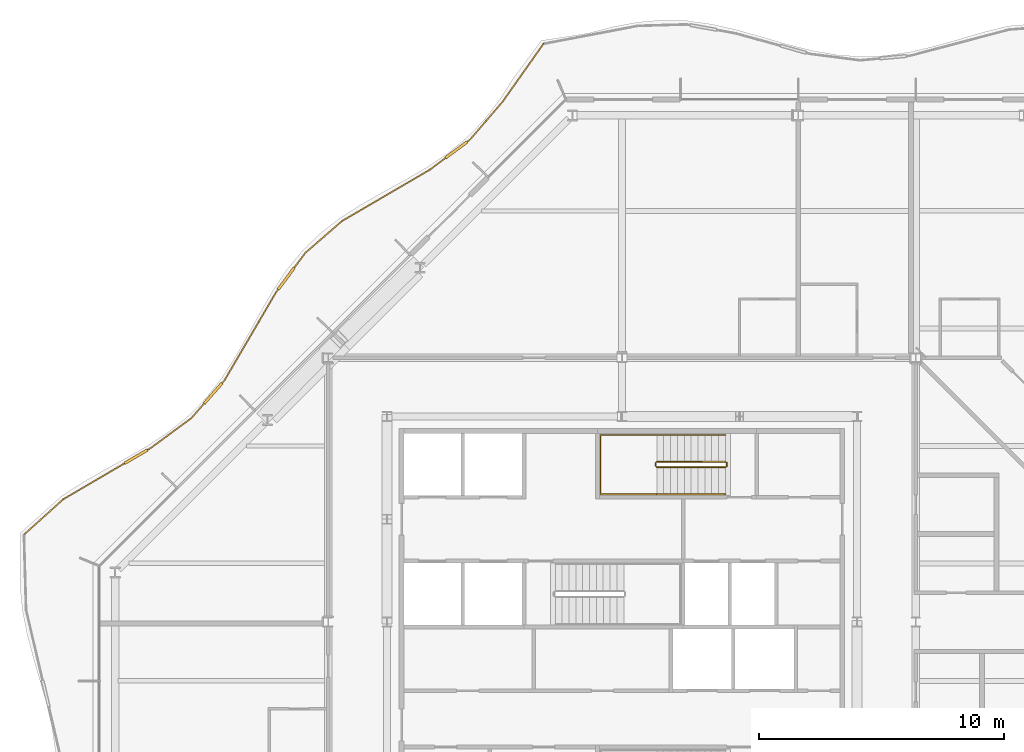
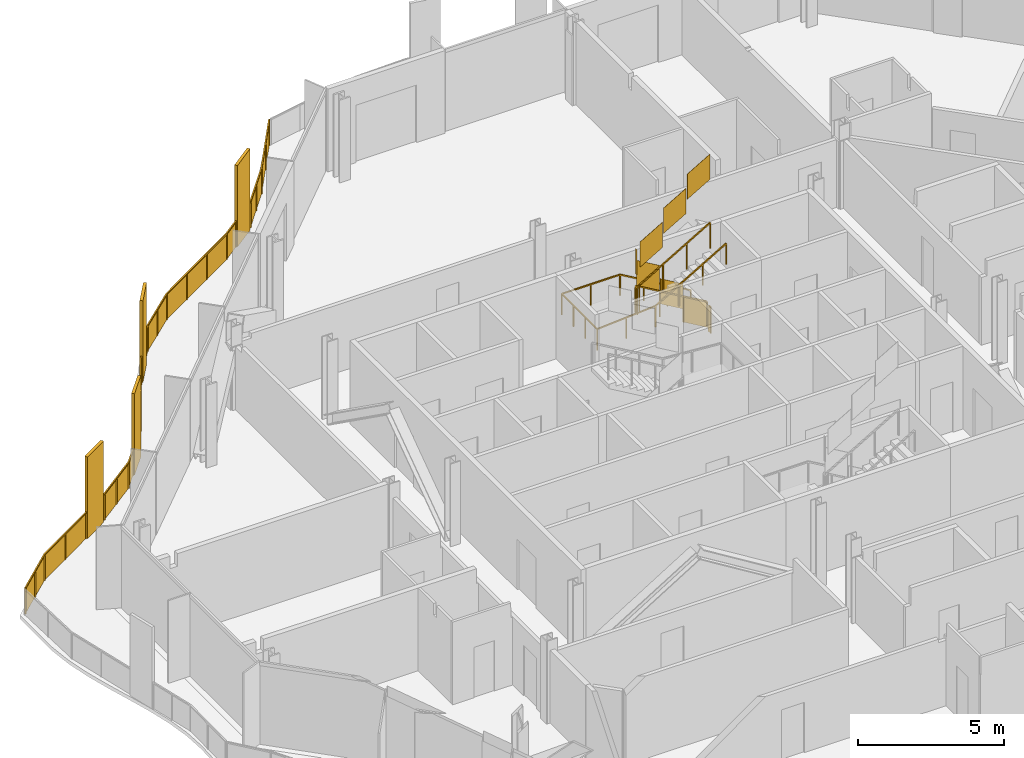
# One storey, part 16 of 17: 4 railings.
"""IFC4 building model written with IfcOpenShell, lengths in metres."""

from ifc_helpers import new_model, si_unit, direction, frame, origin, origin_2d, place, context, subcontext, project, spatial, polyline, rectangle, outline, extrude, material, type_object, element, save


model = new_model("IFC4")

# Units and contexts
model_context = context("Model", 3, precision=1e-05, world=origin(), true_north=direction((0.0, 1.0)))
body_context = subcontext(model_context, "Body", "Model", "MODEL_VIEW")
ifc_project = project(units=[si_unit("LENGTHUNIT", "METRE"), si_unit("AREAUNIT", "SQUARE_METRE"), si_unit("VOLUMEUNIT", "CUBIC_METRE"), si_unit("PLANEANGLEUNIT", "RADIAN"), si_unit("MASSUNIT", "GRAM", prefix="KILO")], contexts=[model_context])

# Site, building, storey
site_placement = place(None, origin())
site = spatial("IfcSite", under=ifc_project, at=site_placement, CompositionType="ELEMENT")
building_placement = place(site_placement, origin())
building = spatial("IfcBuilding", under=site, at=building_placement, Name="Cairn Pilgrim Tower", CompositionType="ELEMENT")
storey_placement = place(building_placement, frame((0.0, 0.0, 225.0)))
storey = spatial("IfcBuildingStorey", under=building, at=storey_placement, Name="L57", CompositionType="ELEMENT", Elevation=225.0)

# Railings
ifc_material_1 = material(Name="Bronze anodised aluminium rail, posts and fin screens with laminated glass infill", Category="aluminium")
railing_type_1 = type_object("IfcRailingType", Name="BALCONY GUARD WITH FIN SCREENS", PredefinedType="GUARDRAIL", material=ifc_material_1)
railing_1_placement = place(storey_placement, frame((3.992919921875, 26.024169921875, 0.0)))
element("IfcRailing", 1, at=railing_1_placement, inside=storey, type_object=railing_type_1, Name="Balcony guard BGF-6 with fin screens", PredefinedType="GUARDRAIL", context=body_context, shape_type="SweptSolid", body=[
    extrude(rectangle(XDim=0.050048828125, YDim=0.050048828125, at=origin_2d()), frame((0.0, 0.0, 1.0751953125), z_axis=(-0.57633889934, -0.817210788663, 0.0), x_axis=(0.817210788663, -0.57633889934, 0.0)), (0.0, 0.0, 1.0), 2.895751953125),
    extrude(rectangle(XDim=0.050048828125, YDim=0.050048828125, at=origin_2d()), frame((-1.6689453125, -2.366455078125, 1.0751953125), z_axis=(-0.651923719263, -0.758284553622, 0.0), x_axis=(0.758284553622, -0.651923719263, 0.0)), (0.0, 0.0, 1.0), 2.04052734375),
    extrude(rectangle(XDim=1.10009765625, YDim=0.110107421875, at=origin_2d()), frame((-3.5595703125, -4.33349609375, 0.0), z_axis=(0.0, 0.0, 1.0), x_axis=(-0.800455544587, -0.599392126359, 0.0)), (0.0, 0.0, 1.0), 3.39990234375),
    extrude(rectangle(XDim=0.050048828125, YDim=0.050048828125, at=origin_2d()), frame((-2.999267578125, -3.913818359375, 1.0751953125), z_axis=(-0.800455544587, -0.599392126359, 0.0), x_axis=(0.599392126359, -0.800455544587, 0.0)), (0.0, 0.0, 1.0), 0.14990234375),
    extrude(rectangle(XDim=0.050048828125, YDim=0.050048828125, at=origin_2d()), frame((-3.999755859375, -4.6630859375, 1.0751953125), z_axis=(-0.800455544587, -0.599392126359, 0.0), x_axis=(0.599392126359, -0.800455544587, 0.0)), (0.0, 0.0, 1.0), 0.806884765625),
    extrude(rectangle(XDim=0.050048828125, YDim=0.050048828125, at=origin_2d()), frame((-4.645751953125, -5.146728515625, 1.0751953125), z_axis=(-0.863369283691, -0.504572571569, 0.0), x_axis=(0.504572571569, -0.863369283691, 0.0)), (0.0, 0.0, 1.0), 4.1533203125),
    extrude(rectangle(XDim=0.050048828125, YDim=0.050048828125, at=origin_2d()), frame((-8.231689453125, -7.242431640625, 1.0751953125), z_axis=(-0.755084368508, -0.655627635502, 0.0), x_axis=(0.655627635502, -0.755084368508, 0.0)), (0.0, 0.0, 1.0), 1.98583984375),
    extrude(rectangle(XDim=1.10009765625, YDim=0.110107421875, at=origin_2d()), frame((-10.51123046875, -9.59521484375, 0.0), z_axis=(0.0, 0.0, 1.0), x_axis=(-0.596064380955, -0.802936643676, 0.0)), (0.0, 0.0, 1.0), 3.39990234375),
    extrude(rectangle(XDim=0.050048828125, YDim=0.050048828125, at=origin_2d()), frame((-9.731201171875, -8.54443359375, 1.0751953125), z_axis=(-0.596064380955, -0.802936643676, 0.0), x_axis=(0.802936643676, -0.596064380955, 0.0)), (0.0, 0.0, 1.0), 0.758544921875),
    extrude(rectangle(XDim=0.050048828125, YDim=0.050048828125, at=origin_2d()), frame((-10.839111328125, -10.036865234375, 1.0751953125), z_axis=(-0.596064380955, -0.802936643676, 0.0), x_axis=(0.802936643676, -0.596064380955, 0.0)), (0.0, 0.0, 1.0), 0.150146484375),
    extrude(rectangle(XDim=0.050048828125, YDim=0.050048828125, at=origin_2d()), frame((-10.928466796875, -10.1572265625, 1.0751953125), z_axis=(-0.50508441104, -0.863069949497, 0.0), x_axis=(0.863069949497, -0.50508441104, 0.0)), (0.0, 0.0, 1.0), 4.164306640625),
    extrude(rectangle(XDim=1.10009765625, YDim=0.110107421875, at=origin_2d()), frame((-13.4931640625, -14.277587890625, 0.0), z_axis=(0.0, 0.0, 1.0), x_axis=(-0.65929822296, -0.751881542001, 0.0)), (0.0, 0.0, 1.0), 3.39990234375),
    extrude(rectangle(XDim=0.050048828125, YDim=0.050048828125, at=origin_2d()), frame((-13.03173828125, -13.751220703125, 1.0751953125), z_axis=(-0.65929822296, -0.751881542001, 0.0), x_axis=(0.751881542001, -0.65929822296, 0.0)), (0.0, 0.0, 1.0), 0.14990234375),
    extrude(rectangle(XDim=0.050048828125, YDim=0.050048828125, at=origin_2d()), frame((-13.855712890625, -14.691162109375, 1.0751953125), z_axis=(-0.65929822296, -0.751881542001, 0.0), x_axis=(0.751881542001, -0.65929822296, 0.0)), (0.0, 0.0, 1.0), 0.79638671875),
    extrude(rectangle(XDim=0.050048828125, YDim=0.050048828125, at=origin_2d()), frame((-14.380859375, -15.289794921875, 1.0751953125), z_axis=(-0.805487840964, -0.592612299956, 0.0), x_axis=(0.592612299956, -0.805487840964, 0.0)), (0.0, 0.0, 1.0), 2.05859375),
    extrude(rectangle(XDim=1.10009765625, YDim=0.110107421875, at=origin_2d()), frame((-16.642822265625, -16.86376953125, 0.0), z_axis=(0.0, 0.0, 1.0), x_axis=(-0.862701510364, -0.505713460385, 0.0)), (0.0, 0.0, 1.0), 3.39990234375),
    extrude(rectangle(XDim=0.050048828125, YDim=0.050048828125, at=origin_2d()), frame((-16.0390625, -16.509765625, 1.0751953125), z_axis=(-0.862701510364, -0.505713460385, 0.0), x_axis=(0.505713460385, -0.862701510364, 0.0)), (0.0, 0.0, 1.0), 0.14990234375),
    extrude(rectangle(XDim=0.050048828125, YDim=0.050048828125, at=origin_2d()), frame((-17.117431640625, -17.141845703125, 1.0751953125), z_axis=(-0.862701510364, -0.505713460385, 0.0), x_axis=(0.505713460385, -0.862701510364, 0.0)), (0.0, 0.0, 1.0), 2.89990234375),
    extrude(rectangle(XDim=0.050048828125, YDim=0.050048828125, at=origin_2d()), frame((-19.619140625, -18.6083984375, 1.0751953125), z_axis=(-0.743114888716, -0.669163853006, 0.0), x_axis=(0.669163853006, -0.743114888716, 0.0)), (0.0, 0.0, 1.0), 2.099609375),
    extrude(rectangle(XDim=0.050048828125, YDim=0.050048828125, at=origin_2d()), origin(), (0.0, 0.0, 1.0), 1.050048828125),
    extrude(rectangle(XDim=0.050048828125, YDim=0.050048828125, at=origin_2d()), frame((-0.83447265625, -1.18310546875, 0.0)), (0.0, 0.0, 1.0), 1.050048828125),
    extrude(rectangle(XDim=0.050048828125, YDim=0.050048828125, at=origin_2d()), frame((-1.6689453125, -2.366455078125, 0.0)), (0.0, 0.0, 1.0), 1.050048828125),
    extrude(rectangle(XDim=0.050048828125, YDim=0.050048828125, at=origin_2d()), frame((-2.333984375, -3.14013671875, 0.0)), (0.0, 0.0, 1.0), 1.050048828125),
    extrude(rectangle(XDim=0.050048828125, YDim=0.050048828125, at=origin_2d()), frame((-2.999267578125, -3.913818359375, 0.0)), (0.0, 0.0, 1.0), 1.050048828125),
    extrude(rectangle(XDim=0.050048828125, YDim=0.050048828125, at=origin_2d()), frame((-3.099365234375, -3.98876953125, 0.0)), (0.0, 0.0, 1.0), 1.050048828125),
    extrude(rectangle(XDim=0.050048828125, YDim=0.050048828125, at=origin_2d()), frame((-4.019775390625, -4.677978515625, 0.0)), (0.0, 0.0, 1.0), 1.050048828125),
    extrude(rectangle(XDim=0.050048828125, YDim=0.050048828125, at=origin_2d()), frame((-4.645751953125, -5.146728515625, 0.0)), (0.0, 0.0, 1.0), 1.050048828125),
    extrude(rectangle(XDim=0.050048828125, YDim=0.050048828125, at=origin_2d()), frame((-5.841064453125, -5.84521484375, 0.0)), (0.0, 0.0, 1.0), 1.050048828125),
    extrude(rectangle(XDim=0.050048828125, YDim=0.050048828125, at=origin_2d()), frame((-7.036376953125, -6.5439453125, 0.0)), (0.0, 0.0, 1.0), 1.050048828125),
    extrude(rectangle(XDim=0.050048828125, YDim=0.050048828125, at=origin_2d()), frame((-8.231689453125, -7.242431640625, 0.0)), (0.0, 0.0, 1.0), 1.050048828125),
    extrude(rectangle(XDim=0.050048828125, YDim=0.050048828125, at=origin_2d()), frame((-8.9814453125, -7.8935546875, 0.0)), (0.0, 0.0, 1.0), 1.050048828125),
    extrude(rectangle(XDim=0.050048828125, YDim=0.050048828125, at=origin_2d()), frame((-9.731201171875, -8.54443359375, 0.0)), (0.0, 0.0, 1.0), 1.050048828125),
    extrude(rectangle(XDim=0.050048828125, YDim=0.050048828125, at=origin_2d()), frame((-10.16845703125, -9.133544921875, 0.0)), (0.0, 0.0, 1.0), 1.050048828125),
    extrude(rectangle(XDim=0.050048828125, YDim=0.050048828125, at=origin_2d()), frame((-10.85400390625, -10.056884765625, 0.0)), (0.0, 0.0, 1.0), 1.050048828125),
    extrude(rectangle(XDim=0.050048828125, YDim=0.050048828125, at=origin_2d()), frame((-10.928466796875, -10.1572265625, 0.0)), (0.0, 0.0, 1.0), 1.050048828125),
    extrude(rectangle(XDim=0.050048828125, YDim=0.050048828125, at=origin_2d()), frame((-11.629638671875, -11.355224609375, 0.0)), (0.0, 0.0, 1.0), 1.050048828125),
    extrude(rectangle(XDim=0.050048828125, YDim=0.050048828125, at=origin_2d()), frame((-12.33056640625, -12.55322265625, 0.0)), (0.0, 0.0, 1.0), 1.050048828125),
    extrude(rectangle(XDim=0.050048828125, YDim=0.050048828125, at=origin_2d()), frame((-13.03173828125, -13.751220703125, 0.0)), (0.0, 0.0, 1.0), 1.050048828125),
    extrude(rectangle(XDim=0.050048828125, YDim=0.050048828125, at=origin_2d()), frame((-13.114013671875, -13.84521484375, 0.0)), (0.0, 0.0, 1.0), 1.050048828125),
    extrude(rectangle(XDim=0.050048828125, YDim=0.050048828125, at=origin_2d()), frame((-13.872314453125, -14.7099609375, 0.0)), (0.0, 0.0, 1.0), 1.050048828125),
    extrude(rectangle(XDim=0.050048828125, YDim=0.050048828125, at=origin_2d()), frame((-14.380859375, -15.289794921875, 0.0)), (0.0, 0.0, 1.0), 1.050048828125),
    extrude(rectangle(XDim=0.050048828125, YDim=0.050048828125, at=origin_2d()), frame((-15.2099609375, -15.89990234375, 0.0)), (0.0, 0.0, 1.0), 1.050048828125),
    extrude(rectangle(XDim=0.050048828125, YDim=0.050048828125, at=origin_2d()), frame((-16.0390625, -16.509765625, 0.0)), (0.0, 0.0, 1.0), 1.050048828125),
    extrude(rectangle(XDim=0.050048828125, YDim=0.050048828125, at=origin_2d()), frame((-16.146728515625, -16.572998046875, 0.0)), (0.0, 0.0, 1.0), 1.050048828125),
    extrude(rectangle(XDim=0.050048828125, YDim=0.050048828125, at=origin_2d()), frame((-17.138916015625, -17.154541015625, 0.0)), (0.0, 0.0, 1.0), 1.050048828125),
    extrude(rectangle(XDim=0.050048828125, YDim=0.050048828125, at=origin_2d()), frame((-18.379150390625, -17.88134765625, 0.0)), (0.0, 0.0, 1.0), 1.050048828125),
    extrude(rectangle(XDim=0.050048828125, YDim=0.050048828125, at=origin_2d()), frame((-19.619140625, -18.6083984375, 0.0)), (0.0, 0.0, 1.0), 1.050048828125),
    extrude(rectangle(XDim=0.050048828125, YDim=0.050048828125, at=origin_2d()), frame((-20.3994140625, -19.31103515625, 0.0)), (0.0, 0.0, 1.0), 1.050048828125),
    extrude(rectangle(XDim=0.050048828125, YDim=0.050048828125, at=origin_2d()), frame((-21.179443359375, -20.013427734375, 0.0)), (0.0, 0.0, 1.0), 1.050048828125),
    extrude(outline(polyline([(0.02490234375, 0.0), (1.4228515625, 0.0), (1.4228515625, 1.050048828125), (0.02490234375, 1.050048828125), (0.02490234375, 0.0)])), frame((0.0048828125, -0.00341796875, 0.0), z_axis=(-0.817210788663, 0.57633889934, 0.0), x_axis=(-0.57633889934, -0.817210788663, 0.0)), (0.0, 0.0, 1.0), 0.011962890625),
    extrude(outline(polyline([(0.02490234375, 0.0), (1.4228515625, 0.0), (1.4228515625, 1.050048828125), (0.02490234375, 1.050048828125), (0.02490234375, 0.0)])), frame((-0.82958984375, -1.186767578125, 0.0), z_axis=(-0.817210788663, 0.57633889934, 0.0), x_axis=(-0.57633889934, -0.817210788663, 0.0)), (0.0, 0.0, 1.0), 0.011962890625),
    extrude(outline(polyline([(0.02490234375, 0.0), (0.995361328125, 0.0), (0.995361328125, 1.050048828125), (0.02490234375, 1.050048828125), (0.02490234375, 0.0)])), frame((-1.664306640625, -2.370361328125, 0.0), z_axis=(-0.758284553622, 0.651923719263, 0.0), x_axis=(-0.651923719263, -0.758284553622, 0.0)), (0.0, 0.0, 1.0), 0.011962890625),
    extrude(outline(polyline([(0.02490234375, 0.0), (0.995361328125, 0.0), (0.995361328125, 1.050048828125), (0.02490234375, 1.050048828125), (0.02490234375, 0.0)])), frame((-2.32958984375, -3.14404296875, 0.0), z_axis=(-0.758284553622, 0.651923719263, 0.0), x_axis=(-0.651923719263, -0.758284553622, 0.0)), (0.0, 0.0, 1.0), 0.011962890625),
    extrude(outline(polyline([(0.02490234375, 0.0), (0.099853515625, 0.0), (0.099853515625, 1.050048828125), (0.02490234375, 1.050048828125), (0.02490234375, 0.0)])), frame((-2.99560546875, -3.918701171875, 0.0), z_axis=(-0.599392126359, 0.800455544587, 0.0), x_axis=(-0.800455544587, -0.599392126359, 0.0)), (0.0, 0.0, 1.0), 0.011962890625),
    extrude(outline(polyline([(0.02490234375, 0.0), (0.7568359375, 0.0), (0.7568359375, 1.050048828125), (0.02490234375, 1.050048828125), (0.02490234375, 0.0)])), frame((-4.016357421875, -4.682861328125, 0.0), z_axis=(-0.599392126359, 0.800455544587, 0.0), x_axis=(-0.800455544587, -0.599392126359, 0.0)), (0.0, 0.0, 1.0), 0.011962890625),
    extrude(outline(polyline([(0.02490234375, 0.0), (1.359375, 0.0), (1.359375, 1.050048828125), (0.02490234375, 1.050048828125), (0.02490234375, 0.0)])), frame((-4.642822265625, -5.15185546875, 0.0), z_axis=(-0.504572571569, 0.863369283691, 0.0), x_axis=(-0.863369283691, -0.504572571569, 0.0)), (0.0, 0.0, 1.0), 0.011962890625),
    extrude(outline(polyline([(0.02490234375, 0.0), (1.359375, 0.0), (1.359375, 1.050048828125), (0.02490234375, 1.050048828125), (0.02490234375, 0.0)])), frame((-5.838134765625, -5.850341796875, 0.0), z_axis=(-0.504572571569, 0.863369283691, 0.0), x_axis=(-0.863369283691, -0.504572571569, 0.0)), (0.0, 0.0, 1.0), 0.011962890625),
    extrude(outline(polyline([(0.02490234375, 0.0), (1.359375, 0.0), (1.359375, 1.050048828125), (0.02490234375, 1.050048828125), (0.02490234375, 0.0)])), frame((-7.033447265625, -6.549072265625, 0.0), z_axis=(-0.504572571569, 0.863369283691, 0.0), x_axis=(-0.863369283691, -0.504572571569, 0.0)), (0.0, 0.0, 1.0), 0.011962890625),
    extrude(outline(polyline([(0.02490234375, 0.0), (0.968017578125, 0.0), (0.968017578125, 1.050048828125), (0.02490234375, 1.050048828125), (0.02490234375, 0.0)])), frame((-8.227783203125, -7.246826171875, 0.0), z_axis=(-0.655627635502, 0.755084368508, 0.0), x_axis=(-0.755084368508, -0.655627635502, 0.0)), (0.0, 0.0, 1.0), 0.011962890625),
    extrude(outline(polyline([(0.02490234375, 0.0), (0.968017578125, 0.0), (0.968017578125, 1.050048828125), (0.02490234375, 1.050048828125), (0.02490234375, 0.0)])), frame((-8.9775390625, -7.89794921875, 0.0), z_axis=(-0.655627635502, 0.755084368508, 0.0), x_axis=(-0.755084368508, -0.655627635502, 0.0)), (0.0, 0.0, 1.0), 0.011962890625),
    extrude(outline(polyline([(0.02490234375, 0.0), (0.70849609375, 0.0), (0.70849609375, 1.050048828125), (0.02490234375, 1.050048828125), (0.02490234375, 0.0)])), frame((-9.726318359375, -8.548095703125, 0.0), z_axis=(-0.802936643676, 0.596064380955, 0.0), x_axis=(-0.596064380955, -0.802936643676, 0.0)), (0.0, 0.0, 1.0), 0.011962890625),
    extrude(outline(polyline([(0.02490234375, 0.0), (0.10009765625, 0.0), (0.10009765625, 1.050048828125), (0.02490234375, 1.050048828125), (0.02490234375, 0.0)])), frame((-10.84912109375, -10.060302734375, 0.0), z_axis=(-0.802936643676, 0.596064380955, 0.0), x_axis=(-0.596064380955, -0.802936643676, 0.0)), (0.0, 0.0, 1.0), 0.011962890625),
    extrude(outline(polyline([(0.02490234375, 0.0), (1.363037109375, 0.0), (1.363037109375, 1.050048828125), (0.02490234375, 1.050048828125), (0.02490234375, 0.0)])), frame((-10.92333984375, -10.16015625, 0.0), z_axis=(-0.863069949497, 0.50508441104, 0.0), x_axis=(-0.50508441104, -0.863069949497, 0.0)), (0.0, 0.0, 1.0), 0.011962890625),
    extrude(outline(polyline([(0.02490234375, 0.0), (1.363037109375, 0.0), (1.363037109375, 1.050048828125), (0.02490234375, 1.050048828125), (0.02490234375, 0.0)])), frame((-11.62451171875, -11.358154296875, 0.0), z_axis=(-0.863069949497, 0.50508441104, 0.0), x_axis=(-0.50508441104, -0.863069949497, 0.0)), (0.0, 0.0, 1.0), 0.011962890625),
    extrude(outline(polyline([(0.02490234375, 0.0), (1.363037109375, 0.0), (1.363037109375, 1.050048828125), (0.02490234375, 1.050048828125), (0.02490234375, 0.0)])), frame((-12.325439453125, -12.55615234375, 0.0), z_axis=(-0.863069949497, 0.50508441104, 0.0), x_axis=(-0.50508441104, -0.863069949497, 0.0)), (0.0, 0.0, 1.0), 0.011962890625),
    extrude(outline(polyline([(0.02490234375, 0.0), (0.099853515625, 0.0), (0.099853515625, 1.050048828125), (0.02490234375, 1.050048828125), (0.02490234375, 0.0)])), frame((-13.02734375, -13.755126953125, 0.0), z_axis=(-0.751881542001, 0.65929822296, 0.0), x_axis=(-0.65929822296, -0.751881542001, 0.0)), (0.0, 0.0, 1.0), 0.011962890625),
    extrude(outline(polyline([(0.02490234375, 0.0), (0.746337890625, 0.0), (0.746337890625, 1.050048828125), (0.02490234375, 1.050048828125), (0.02490234375, 0.0)])), frame((-13.867919921875, -14.7138671875, 0.0), z_axis=(-0.751881542001, 0.65929822296, 0.0), x_axis=(-0.65929822296, -0.751881542001, 0.0)), (0.0, 0.0, 1.0), 0.011962890625),
    extrude(outline(polyline([(0.02490234375, 0.0), (1.00439453125, 0.0), (1.00439453125, 1.050048828125), (0.02490234375, 1.050048828125), (0.02490234375, 0.0)])), frame((-14.377197265625, -15.294677734375, 0.0), z_axis=(-0.592612299956, 0.805487840964, 0.0), x_axis=(-0.805487840964, -0.592612299956, 0.0)), (0.0, 0.0, 1.0), 0.011962890625),
    extrude(outline(polyline([(0.02490234375, 0.0), (1.00439453125, 0.0), (1.00439453125, 1.050048828125), (0.02490234375, 1.050048828125), (0.02490234375, 0.0)])), frame((-15.206298828125, -15.904541015625, 0.0), z_axis=(-0.592612299956, 0.805487840964, 0.0), x_axis=(-0.805487840964, -0.592612299956, 0.0)), (0.0, 0.0, 1.0), 0.011962890625),
    extrude(outline(polyline([(0.02490234375, 0.0), (0.099853515625, 0.0), (0.099853515625, 1.050048828125), (0.02490234375, 1.050048828125), (0.02490234375, 0.0)])), frame((-16.0361328125, -16.514892578125, 0.0), z_axis=(-0.505713460385, 0.862701510364, 0.0), x_axis=(-0.862701510364, -0.505713460385, 0.0)), (0.0, 0.0, 1.0), 0.011962890625),
    extrude(outline(polyline([(0.02490234375, 0.0), (1.412353515625, 0.0), (1.412353515625, 1.050048828125), (0.02490234375, 1.050048828125), (0.02490234375, 0.0)])), frame((-17.135986328125, -17.15966796875, 0.0), z_axis=(-0.505713460385, 0.862701510364, 0.0), x_axis=(-0.862701510364, -0.505713460385, 0.0)), (0.0, 0.0, 1.0), 0.011962890625),
    extrude(outline(polyline([(0.02490234375, 0.0), (1.412353515625, 0.0), (1.412353515625, 1.050048828125), (0.02490234375, 1.050048828125), (0.02490234375, 0.0)])), frame((-18.3759765625, -17.88671875, 0.0), z_axis=(-0.505713460385, 0.862701510364, 0.0), x_axis=(-0.862701510364, -0.505713460385, 0.0)), (0.0, 0.0, 1.0), 0.011962890625),
    extrude(outline(polyline([(0.02490234375, 0.0), (1.02490234375, 0.0), (1.02490234375, 1.050048828125), (0.02490234375, 1.050048828125), (0.02490234375, 0.0)])), frame((-19.615234375, -18.61279296875, 0.0), z_axis=(-0.669163853006, 0.743114888716, 0.0), x_axis=(-0.743114888716, -0.669163853006, 0.0)), (0.0, 0.0, 1.0), 0.011962890625),
    extrude(outline(polyline([(0.02490234375, 0.0), (1.02490234375, 0.0), (1.02490234375, 1.050048828125), (0.02490234375, 1.050048828125), (0.02490234375, 0.0)])), frame((-20.395263671875, -19.3154296875, 0.0), z_axis=(-0.669163853006, 0.743114888716, 0.0), x_axis=(-0.743114888716, -0.669163853006, 0.0)), (0.0, 0.0, 1.0), 0.011962890625),
])
ifc_material_2 = material(Name="Painted steel", Category="steel")
railing_type_2 = type_object("IfcRailingType", Name="STAIR GUARD 1100", PredefinedType="GUARDRAIL", material=ifc_material_2)
railing_2_placement = place(storey_placement, frame((11.425048828125, 8.949951171875, 0.16357421875)))
element("IfcRailing", 2, at=railing_2_placement, inside=storey, type_object=railing_type_2, Name="L57 ST-C stair guard 1", PredefinedType="GUARDRAIL", context=body_context, shape_type="SweptSolid", body=[
    extrude(rectangle(XDim=0.048095703125, YDim=0.048095703125, at=origin_2d()), frame((0.0, 0.0, 1.076171875), z_axis=(-0.863360870873, 0.0, 0.504586966384), x_axis=(0.0, -1.0, 0.0)), (0.0, 0.0, 1.0), 3.2431640625),
    extrude(rectangle(XDim=0.048095703125, YDim=0.048095703125, at=origin_2d()), frame((-2.800048828125, 0.0, 2.71240234375), z_axis=(-0.707106781187, -0.707106781187, 0.0), x_axis=(0.707106781187, -0.707106781187, 0.0)), (0.0, 0.0, 1.0), 0.07080078125),
    extrude(rectangle(XDim=0.048095703125, YDim=0.048095703125, at=origin_2d()), frame((-2.85009765625, -0.050048828125, 2.71240234375), z_axis=(0.0, -1.0, 0.0), x_axis=(1.0, 0.0, 0.0)), (0.0, 0.0, 1.0), 0.125),
    extrude(rectangle(XDim=0.048095703125, YDim=0.048095703125, at=origin_2d()), frame((-2.85009765625, -0.175048828125, 2.71240234375), z_axis=(0.280916556609, -0.279546231943, 0.91811752648), x_axis=(0.705375805398, 0.708833529934, 0.0)), (0.0, 0.0, 1.0), 0.17822265625),
    extrude(rectangle(XDim=0.048095703125, YDim=0.048095703125, at=origin_2d()), frame((-2.800048828125, -0.224853515625, 2.8759765625), z_axis=(0.863360870873, 0.0, 0.504586966384), x_axis=(0.0, 1.0, 0.0)), (0.0, 0.0, 1.0), 3.2431640625),
    extrude(rectangle(XDim=0.0419921875, YDim=0.0419921875, at=origin_2d()), origin(), (0.0, 0.0, 1.0), 1.052001953125),
    extrude(rectangle(XDim=0.0419921875, YDim=0.0419921875, at=origin_2d()), frame((-0.933349609375, 0.0, 0.54541015625)), (0.0, 0.0, 1.0), 1.052001953125),
    extrude(rectangle(XDim=0.0419921875, YDim=0.0419921875, at=origin_2d()), frame((-1.86669921875, 0.0, 1.091064453125)), (0.0, 0.0, 1.0), 1.052001953125),
    extrude(rectangle(XDim=0.0419921875, YDim=0.0419921875, at=origin_2d()), frame((-2.800048828125, 0.0, 1.636474609375)), (0.0, 0.0, 1.0), 1.052001953125),
    extrude(rectangle(XDim=0.0419921875, YDim=0.0419921875, at=origin_2d()), frame((-2.85009765625, -0.050048828125, 1.636474609375)), (0.0, 0.0, 1.0), 1.052001953125),
    extrude(rectangle(XDim=0.0419921875, YDim=0.0419921875, at=origin_2d()), frame((-2.85009765625, -0.175048828125, 1.636474609375)), (0.0, 0.0, 1.0), 1.052001953125),
    extrude(rectangle(XDim=0.0419921875, YDim=0.0419921875, at=origin_2d()), frame((-2.800048828125, -0.224853515625, 1.800048828125)), (0.0, 0.0, 1.0), 1.052001953125),
    extrude(rectangle(XDim=0.0419921875, YDim=0.0419921875, at=origin_2d()), frame((-1.86669921875, -0.224853515625, 2.345458984375)), (0.0, 0.0, 1.0), 1.052001953125),
    extrude(rectangle(XDim=0.0419921875, YDim=0.0419921875, at=origin_2d()), frame((-0.933349609375, -0.224853515625, 2.89111328125)), (0.0, 0.0, 1.0), 1.052001953125),
    extrude(rectangle(XDim=0.0419921875, YDim=0.0419921875, at=origin_2d()), frame((0.0, -0.224853515625, 3.4365234375)), (0.0, 0.0, 1.0), 1.052001953125),
    extrude(outline(polyline([(0.02099609375, 0.01220703125), (0.912353515625, 0.533203125), (0.912353515625, 1.585205078125), (0.02099609375, 1.064208984375), (0.02099609375, 0.01220703125)])), frame((0.0, -0.005859375, 0.0), z_axis=(0.0, 1.0, 0.0), x_axis=(-1.0, 0.0, 0.0)), (0.0, 0.0, 1.0), 0.011962890625),
    extrude(outline(polyline([(0.02099609375, 0.557861328125), (0.912353515625, 1.07861328125), (0.912353515625, 2.130615234375), (0.02099609375, 1.60986328125), (0.02099609375, 0.557861328125)])), frame((-0.933349609375, -0.005859375, 0.54541015625), z_axis=(0.0, 1.0, 0.0), x_axis=(-1.0, 0.0, 0.0)), (0.0, 0.0, 1.0), 0.011962890625),
    extrude(outline(polyline([(0.02099609375, 1.103271484375), (0.912353515625, 1.624267578125), (0.912353515625, 2.67626953125), (0.02099609375, 2.1552734375), (0.02099609375, 1.103271484375)])), frame((-1.86669921875, -0.005859375, 1.091064453125), z_axis=(0.0, 1.0, 0.0), x_axis=(-1.0, 0.0, 0.0)), (0.0, 0.0, 1.0), 0.011962890625),
    extrude(outline(polyline([(0.02099609375, 1.636474609375), (0.10400390625, 1.636474609375), (0.10400390625, 2.6884765625), (0.02099609375, 2.6884765625), (0.02099609375, 1.636474609375)])), frame((-2.84423828125, -0.050048828125, 1.636474609375), z_axis=(-1.0, 0.0, 0.0), x_axis=(0.0, -1.0, 0.0)), (0.0, 0.0, 1.0), 0.011962890625),
    extrude(outline(polyline([(0.02099609375, 1.812255859375), (0.912353515625, 2.333251953125), (0.912353515625, 3.38525390625), (0.02099609375, 2.8642578125), (0.02099609375, 1.812255859375)])), frame((-2.800048828125, -0.21875, 1.800048828125), z_axis=(0.0, -1.0, 0.0), x_axis=(1.0, 0.0, 0.0)), (0.0, 0.0, 1.0), 0.011962890625),
    extrude(outline(polyline([(0.02099609375, 2.35791015625), (0.912353515625, 2.878662109375), (0.912353515625, 3.9306640625), (0.02099609375, 3.409912109375), (0.02099609375, 2.35791015625)])), frame((-1.86669921875, -0.21875, 2.345458984375), z_axis=(0.0, -1.0, 0.0), x_axis=(1.0, 0.0, 0.0)), (0.0, 0.0, 1.0), 0.011962890625),
    extrude(outline(polyline([(0.02099609375, 2.9033203125), (0.912353515625, 3.42431640625), (0.912353515625, 4.476318359375), (0.02099609375, 3.955322265625), (0.02099609375, 2.9033203125)])), frame((-0.933349609375, -0.21875, 2.89111328125), z_axis=(0.0, -1.0, 0.0), x_axis=(1.0, 0.0, 0.0)), (0.0, 0.0, 1.0), 0.011962890625),
])
railing_3_placement = place(storey_placement, frame((11.47509765625, 8.89990234375, 0.0)))
element("IfcRailing", 3, at=railing_3_placement, inside=storey, type_object=railing_type_2, Name="L57 ST-C stair guard 2", PredefinedType="GUARDRAIL", context=body_context, shape_type="SweptSolid", body=[
    extrude(rectangle(XDim=0.048095703125, YDim=0.048095703125, at=origin_2d()), frame((0.0, 0.0, 1.076171875), z_axis=(0.0, -1.0, 0.0), x_axis=(1.0, 0.0, 0.0)), (0.0, 0.0, 1.0), 0.125),
    extrude(rectangle(XDim=0.0419921875, YDim=0.0419921875, at=origin_2d()), origin(), (0.0, 0.0, 1.0), 1.052001953125),
    extrude(rectangle(XDim=0.0419921875, YDim=0.0419921875, at=origin_2d()), frame((0.0, -0.125, 0.0)), (0.0, 0.0, 1.0), 1.052001953125),
    extrude(outline(polyline([(0.02099609375, 0.0), (0.10400390625, 0.0), (0.10400390625, 1.052001953125), (0.02099609375, 1.052001953125), (0.02099609375, 0.0)])), frame((0.005859375, 0.0, 0.0), z_axis=(-1.0, 0.0, 0.0), x_axis=(0.0, -1.0, 0.0)), (0.0, 0.0, 1.0), 0.011962890625),
])
railing_type_3 = type_object("IfcRailingType", Name="STAIR HANDRAIL 900", PredefinedType="HANDRAIL", material=ifc_material_2)
railing_4_placement = place(storey_placement, frame((11.425048828125, 10.050048828125, 0.16357421875)))
element("IfcRailing", 4, at=railing_4_placement, inside=storey, type_object=railing_type_3, Name="L57 ST-C stair handrail 1", PredefinedType="HANDRAIL", context=body_context, shape_type="SweptSolid", body=[
    extrude(rectangle(XDim=0.048095703125, YDim=0.048095703125, at=origin_2d()), frame((0.0, 0.0, 0.8759765625), z_axis=(-0.863360870873, 0.0, 0.504586966384), x_axis=(0.0, -1.0, 0.0)), (0.0, 0.0, 1.0), 3.2431640625),
    extrude(rectangle(XDim=0.048095703125, YDim=0.048095703125, at=origin_2d()), frame((-2.800048828125, 0.0, 2.51220703125), z_axis=(-1.0, 0.0, 0.0), x_axis=(0.0, -1.0, 0.0)), (0.0, 0.0, 1.0), 2.300048828125),
    extrude(rectangle(XDim=0.048095703125, YDim=0.048095703125, at=origin_2d()), frame((-5.10009765625, 0.0, 2.51220703125), z_axis=(0.0, -1.0, 0.0), x_axis=(1.0, 0.0, 0.0)), (0.0, 0.0, 1.0), 2.425048828125),
    extrude(rectangle(XDim=0.048095703125, YDim=0.048095703125, at=origin_2d()), frame((-5.10009765625, -2.425048828125, 2.51220703125), z_axis=(0.997480687736, 0.0, 0.070938548008), x_axis=(0.0, 1.0, 0.0)), (0.0, 0.0, 1.0), 2.305908203125),
    extrude(rectangle(XDim=0.048095703125, YDim=0.048095703125, at=origin_2d()), frame((-2.800048828125, -2.425048828125, 2.67578125), z_axis=(0.863360870873, 0.0, 0.504586966384), x_axis=(0.0, 1.0, 0.0)), (0.0, 0.0, 1.0), 3.2431640625),
    extrude(rectangle(XDim=0.0419921875, YDim=0.0419921875, at=origin_2d()), origin(), (0.0, 0.0, 1.0), 0.851806640625),
    extrude(rectangle(XDim=0.0419921875, YDim=0.0419921875, at=origin_2d()), frame((-0.933349609375, 0.0, 0.54541015625)), (0.0, 0.0, 1.0), 0.851806640625),
    extrude(rectangle(XDim=0.0419921875, YDim=0.0419921875, at=origin_2d()), frame((-1.86669921875, 0.0, 1.091064453125)), (0.0, 0.0, 1.0), 0.851806640625),
    extrude(rectangle(XDim=0.0419921875, YDim=0.0419921875, at=origin_2d()), frame((-2.800048828125, 0.0, 1.636474609375)), (0.0, 0.0, 1.0), 0.851806640625),
    extrude(rectangle(XDim=0.0419921875, YDim=0.0419921875, at=origin_2d()), frame((-3.9501953125, 0.0, 1.636474609375)), (0.0, 0.0, 1.0), 0.851806640625),
    extrude(rectangle(XDim=0.0419921875, YDim=0.0419921875, at=origin_2d()), frame((-5.10009765625, 0.0, 1.636474609375)), (0.0, 0.0, 1.0), 0.851806640625),
    extrude(rectangle(XDim=0.0419921875, YDim=0.0419921875, at=origin_2d()), frame((-5.10009765625, -0.808349609375, 1.636474609375)), (0.0, 0.0, 1.0), 0.851806640625),
    extrude(rectangle(XDim=0.0419921875, YDim=0.0419921875, at=origin_2d()), frame((-5.10009765625, -1.61669921875, 1.636474609375)), (0.0, 0.0, 1.0), 0.851806640625),
    extrude(rectangle(XDim=0.0419921875, YDim=0.0419921875, at=origin_2d()), frame((-5.10009765625, -2.425048828125, 1.636474609375)), (0.0, 0.0, 1.0), 0.851806640625),
    extrude(rectangle(XDim=0.0419921875, YDim=0.0419921875, at=origin_2d()), frame((-3.9501953125, -2.425048828125, 1.71826171875)), (0.0, 0.0, 1.0), 0.851806640625),
    extrude(rectangle(XDim=0.0419921875, YDim=0.0419921875, at=origin_2d()), frame((-2.800048828125, -2.425048828125, 1.800048828125)), (0.0, 0.0, 1.0), 0.851806640625),
    extrude(rectangle(XDim=0.0419921875, YDim=0.0419921875, at=origin_2d()), frame((-1.86669921875, -2.425048828125, 2.345458984375)), (0.0, 0.0, 1.0), 0.851806640625),
    extrude(rectangle(XDim=0.0419921875, YDim=0.0419921875, at=origin_2d()), frame((-0.933349609375, -2.425048828125, 2.89111328125)), (0.0, 0.0, 1.0), 0.851806640625),
    extrude(rectangle(XDim=0.0419921875, YDim=0.0419921875, at=origin_2d()), frame((0.0, -2.425048828125, 3.4365234375)), (0.0, 0.0, 1.0), 0.851806640625),
])

save(model, "model.ifc")
